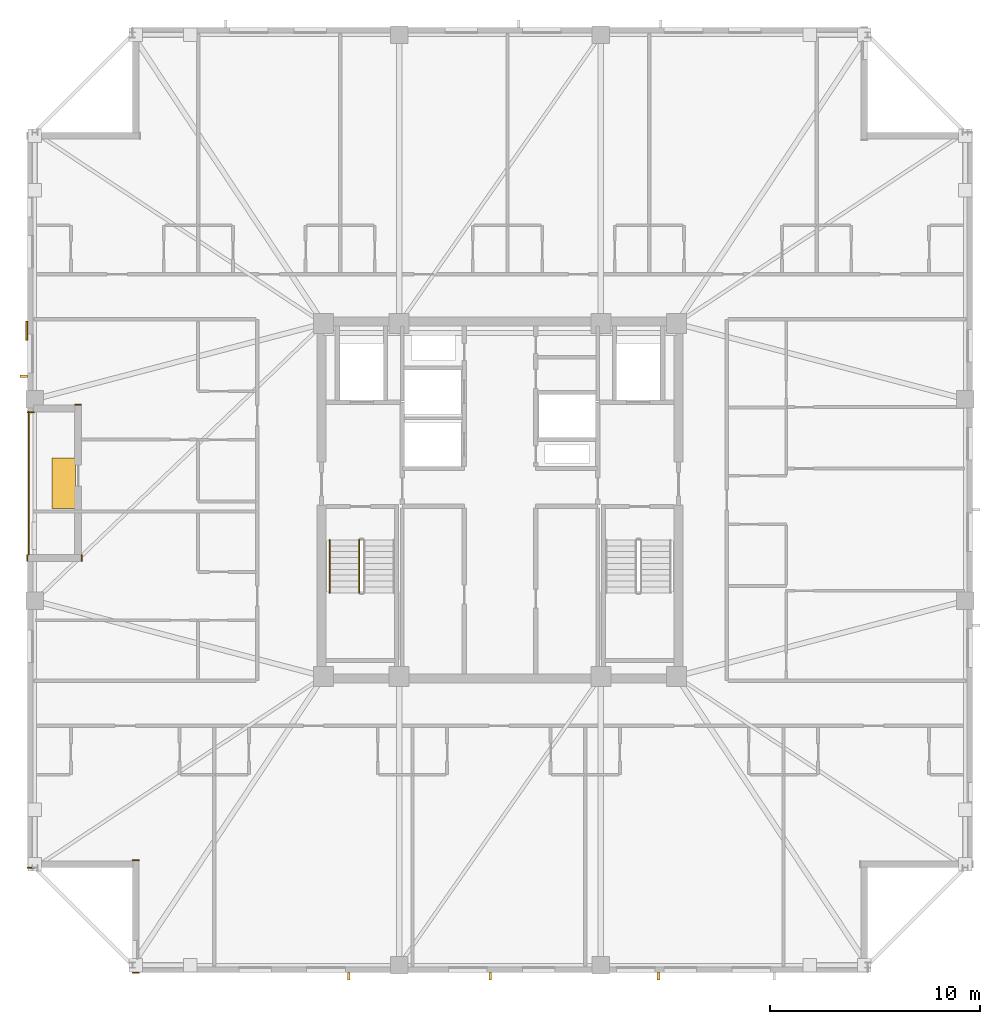
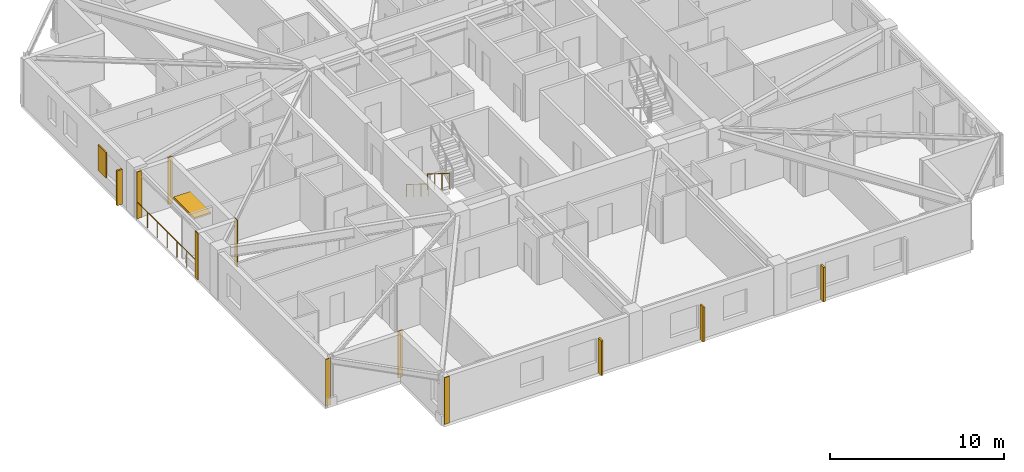
# One storey, part 13 of 17: 7 coverings, 6 shading devices, 3 railings.
"""IFC4 building model written with IfcOpenShell, lengths in metres."""

from ifc_helpers import new_model, si_unit, direction, frame, frame_2d, origin, origin_2d, place, context, subcontext, project, spatial, rectangle, circle, extrude, material, layer, layer_set, type_object, element, save


model = new_model("IFC4")

# Units and contexts
model_context = context("Model", 3, precision=1e-05, world=origin(), true_north=direction((0.0, 1.0)))
body_context = subcontext(model_context, "Body", "Model", "MODEL_VIEW")
ifc_project = project(units=[si_unit("LENGTHUNIT", "METRE"), si_unit("AREAUNIT", "SQUARE_METRE"), si_unit("VOLUMEUNIT", "CUBIC_METRE"), si_unit("PLANEANGLEUNIT", "RADIAN"), si_unit("MASSUNIT", "GRAM", prefix="KILO")], contexts=[model_context])

# Site, building, storey
site_placement = place(None, origin())
site = spatial("IfcSite", under=ifc_project, at=site_placement, CompositionType="ELEMENT")
building_placement = place(site_placement, origin())
building = spatial("IfcBuilding", under=site, at=building_placement, Name="Cairnveth Concourse Tower", CompositionType="ELEMENT")
storey_placement = place(building_placement, frame((0.0, 0.0, 244.5)))
storey = spatial("IfcBuildingStorey", under=building, at=storey_placement, Name="L67", CompositionType="ELEMENT", Elevation=244.5)

# Coverings
ifc_material_1 = material(Name="Dressed Melbourne Bluestone Cladding", Category="masonry")
ifc_layer = layer(ifc_material_1, 0.050048828125)
ifc_layer_set = layer_set([ifc_layer], Name="Dressed Melbourne Bluestone Cladding")
covering_type = type_object("IfcCoveringType", Name="DRESSED BLUESTONE PLINTH CLADDING 50", PredefinedType="CLADDING", material=ifc_layer_set)
for number, where, z_axis, x_axis, name in (
    (1, (29.820068359375, 43.179931640625, 0.0), (0.0, 0.0, 1.0), (-1.0, 0.0, 0.0), "Melbourne Bluestone Corner Quoin L67-1007"),
    (2, (34.820068359375, 16.47998046875, 0.0), (0.0, 0.0, 1.0), (-1.0, 0.0, 0.0), "Melbourne Bluestone Corner Quoin L67-1017"),
    (3, (34.820068359375, 21.840087890625, 0.0), (0.0, 0.0, 1.0), (-1.0, 0.0, 0.0), "Melbourne Bluestone Corner Quoin L67-1018"),
    (4, (29.820068359375, 21.47998046875, 0.0), (0.0, 0.0, 1.0), (-1.0, 0.0, 0.0), "Melbourne Bluestone Corner Quoin L67-1019"),
):
    element("IfcCovering", number, at=place(storey_placement, frame(where, z_axis=z_axis, x_axis=x_axis)), inside=storey, type_object=covering_type, Name=name, PredefinedType="CLADDING", context=body_context, shape_type="SweptSolid", body=[
        extrude(rectangle(XDim=0.320068359375, YDim=0.050048828125, at=frame_2d((0.16015625, 0.0))), origin(), (0.0, 0.0, 1.0), 3.2900390625),
    ])
for number, where, z_axis, x_axis, name in (
    (5, (29.47998046875, 36.080078125, 0.0), (0.0, 0.0, 1.0), (0.0, 1.0, 0.0), "Melbourne Bluestone Corner Quoin L67-1020"),
    (6, (32.090087890625, 36.080078125, 0.0), (0.0, 0.0, 1.0), (0.0, 1.0, 0.0), "Melbourne Bluestone Corner Quoin L67-1021"),
):
    element("IfcCovering", number, at=place(storey_placement, frame(where, z_axis=z_axis, x_axis=x_axis)), inside=storey, type_object=covering_type, Name=name, PredefinedType="CLADDING", context=body_context, shape_type="SweptSolid", body=[
        extrude(rectangle(XDim=0.31982421875, YDim=0.050048828125, at=frame_2d((0.159912109375, 0.0))), origin(), (0.0, 0.0, 1.0), 3.2900390625),
    ])
covering_placement = place(storey_placement, frame((32.070068359375, 43.5400390625, 0.0), z_axis=(0.0, 0.0, 1.0), x_axis=(-1.0, 0.0, 0.0)))
element("IfcCovering", 7, at=covering_placement, inside=storey, type_object=covering_type, Name="Melbourne Bluestone Corner Quoin L67-1022", PredefinedType="CLADDING", context=body_context, shape_type="SweptSolid", body=[
    extrude(rectangle(XDim=0.320068359375, YDim=0.050048828125, at=frame_2d((0.16015625, 0.0))), origin(), (0.0, 0.0, 1.0), 3.2900390625),
])

# Shading devices
ifc_material_2 = material(Name="Architectural Bronze Anodised Aluminium 6063-T6", Category="aluminium")
shading_device_type_1 = type_object("IfcShadingDeviceType", Name="GOTHIC BRONZE VERTICAL LANCET FIN", PredefinedType="USERDEFINED", material=ifc_material_2)
for number, where, z_axis, x_axis, name in (
    (8, (29.324951171875, 44.890380859375, 0.030029296875), (0.0, 0.0, 1.0), (0.0, 1.0, 0.0), "Gothic Bronze Vertical Fin L67-0-1"),
    (9, (59.546875, 16.324951171875, 0.030029296875), (0.0, 0.0, 1.0), (1.0, 0.0, 0.0), "Gothic Bronze Vertical Fin L67-9-3"),
    (10, (51.54638671875, 16.324951171875, 0.030029296875), (0.0, 0.0, 1.0), (1.0, 0.0, 0.0), "Gothic Bronze Vertical Fin L67-9-5"),
    (11, (44.7958984375, 16.324951171875, 0.030029296875), (0.0, 0.0, 1.0), (1.0, 0.0, 0.0), "Gothic Bronze Vertical Fin L67-9-7"),
):
    element("IfcShadingDevice", number, at=place(storey_placement, frame(where, z_axis=z_axis, x_axis=x_axis)), inside=storey, type_object=shading_device_type_1, Name=name, ObjectType="VERTICAL FIN", PredefinedType="USERDEFINED", context=body_context, shape_type="SweptSolid", body=[
        extrude(rectangle(XDim=0.1201171875, YDim=0.360107421875, at=origin_2d()), origin(), (0.0, 0.0, 1.0), 2.43798828125),
    ])
shading_device_type_2 = type_object("IfcShadingDeviceType", Name="SPIRAL TERRACE SUNSHADE CANOPY", PredefinedType="USERDEFINED", material=ifc_material_2)
shading_device_1_placement = place(storey_placement, frame((31.22998046875, 39.800048828125, 2.31787109375), z_axis=(0.0, 0.0, 1.0), x_axis=(1.0, 0.0, 0.0)))
element("IfcShadingDevice", 12, at=shading_device_1_placement, inside=storey, type_object=shading_device_type_2, Name="Spiral Terrace Sunshade L67", ObjectType="TERRACE SUNSHADE", PredefinedType="USERDEFINED", context=body_context, shape_type="SweptSolid", body=[
    extrude(rectangle(XDim=1.10009765625, YDim=2.39990234375, at=origin_2d()), origin(), (0.0, 0.0, 1.0), 0.1201171875),
])

# Railings
ifc_material_3 = material(Name="Steel Grade 350", Category="steel")
railing_type_1 = type_object("IfcRailingType", Name="STAIR GUARDRAIL 1150", PredefinedType="GUARDRAIL", material=ifc_material_3)
railing_1_placement = place(storey_placement, frame((45.2900390625, 37.10009765625, 0.175048828125)))
element("IfcRailing", 13, at=railing_1_placement, inside=storey, type_object=railing_type_1, Name="L67 ST-1 stair guard 1", PredefinedType="GUARDRAIL", context=body_context, shape_type="SweptSolid", body=[
    extrude(circle(Radius=0.02392578125, at=origin_2d()), frame((0.0, 0.0, 1.1259765625), z_axis=(0.0, -0.848007534815, 0.529984170421), x_axis=(1.0, 0.0, 0.0)), (0.0, 0.0, 1.0), 2.9716796875),
    extrude(circle(Radius=0.02099609375, at=origin_2d()), origin(), (0.0, 0.0, 1.0), 1.101806640625),
    extrude(circle(Radius=0.02099609375, at=origin_2d()), frame((0.0, -0.840087890625, 0.52490234375)), (0.0, 0.0, 1.0), 1.101806640625),
    extrude(circle(Radius=0.02099609375, at=origin_2d()), frame((0.0, -1.679931640625, 1.050048828125)), (0.0, 0.0, 1.0), 1.101806640625),
    extrude(circle(Radius=0.02099609375, at=origin_2d()), frame((0.0, -2.52001953125, 1.574951171875)), (0.0, 0.0, 1.0), 1.101806640625),
])
railing_type_2 = type_object("IfcRailingType", Name="STAIR WALL HANDRAIL 900", PredefinedType="HANDRAIL", material=ifc_material_3)
railing_2_placement = place(storey_placement, frame((43.889892578125, 37.10009765625, 0.175048828125)))
element("IfcRailing", 14, at=railing_2_placement, inside=storey, type_object=railing_type_2, Name="L67 ST-1 stair handrail 1", PredefinedType="HANDRAIL", context=body_context, shape_type="SweptSolid", body=[
    extrude(circle(Radius=0.02392578125, at=origin_2d()), frame((0.0, 0.0, 0.8759765625), z_axis=(0.0, -0.848007534815, 0.529984170421), x_axis=(1.0, 0.0, 0.0)), (0.0, 0.0, 1.0), 2.9716796875),
    extrude(circle(Radius=0.02099609375, at=origin_2d()), origin(), (0.0, 0.0, 1.0), 0.851806640625),
    extrude(circle(Radius=0.02099609375, at=origin_2d()), frame((0.0, -0.840087890625, 0.52490234375)), (0.0, 0.0, 1.0), 0.851806640625),
    extrude(circle(Radius=0.02099609375, at=origin_2d()), frame((0.0, -1.679931640625, 1.050048828125)), (0.0, 0.0, 1.0), 0.851806640625),
    extrude(circle(Radius=0.02099609375, at=origin_2d()), frame((0.0, -2.52001953125, 1.574951171875)), (0.0, 0.0, 1.0), 0.851806640625),
])
railing_type_3 = type_object("IfcRailingType", Name="TERRACE BRONZE BALUSTRADE 1150", PredefinedType="BALUSTRADE", material=ifc_material_2)
railing_3_placement = place(storey_placement, frame((29.56005859375, 36.39990234375, 0.0)))
element("IfcRailing", 15, at=railing_3_placement, inside=storey, type_object=railing_type_3, Name="Terrace Balustrade RL-L67-TERR", PredefinedType="BALUSTRADE", context=body_context, shape_type="SweptSolid", body=[
    extrude(circle(Radius=0.02490234375, at=origin_2d()), frame((0.0, 0.0, 1.125), z_axis=(0.0, 1.0, 0.0), x_axis=(-1.0, 0.0, 0.0)), (0.0, 0.0, 1.0), 6.800048828125),
    extrude(circle(Radius=0.02099609375, at=origin_2d()), origin(), (0.0, 0.0, 1.0), 1.099853515625),
    extrude(circle(Radius=0.02099609375, at=origin_2d()), frame((0.0, 1.13330078125, 0.0)), (0.0, 0.0, 1.0), 1.099853515625),
    extrude(circle(Radius=0.02099609375, at=origin_2d()), frame((0.0, 2.2666015625, 0.0)), (0.0, 0.0, 1.0), 1.099853515625),
    extrude(circle(Radius=0.02099609375, at=origin_2d()), frame((0.0, 3.39990234375, 0.0)), (0.0, 0.0, 1.0), 1.099853515625),
    extrude(circle(Radius=0.02099609375, at=origin_2d()), frame((0.0, 4.533447265625, 0.0)), (0.0, 0.0, 1.0), 1.099853515625),
    extrude(circle(Radius=0.02099609375, at=origin_2d()), frame((0.0, 5.666748046875, 0.0)), (0.0, 0.0, 1.0), 1.099853515625),
    extrude(circle(Radius=0.02099609375, at=origin_2d()), frame((0.0, 6.800048828125, 0.0)), (0.0, 0.0, 1.0), 1.099853515625),
])

# Shading device
shading_device_type_3 = type_object("IfcShadingDeviceType", Name="WEST SOLAR PERFORATED SHUTTER", PredefinedType="SHUTTER", material=ifc_material_2)
shading_device_2_placement = place(storey_placement, frame((29.464111328125, 47.060546875, 0.7998046875), z_axis=(0.0, 0.0, 1.0), x_axis=(1.0, 0.0, 0.0)))
element("IfcShadingDevice", 16, at=shading_device_2_placement, inside=storey, type_object=shading_device_type_3, Name="West Solar Shutter L67", PredefinedType="SHUTTER", context=body_context, shape_type="SweptSolid", body=[
    extrude(rectangle(XDim=0.080078125, YDim=0.89990234375, at=origin_2d()), origin(), (0.0, 0.0, 1.0), 1.800048828125),
])

save(model, "model.ifc")
